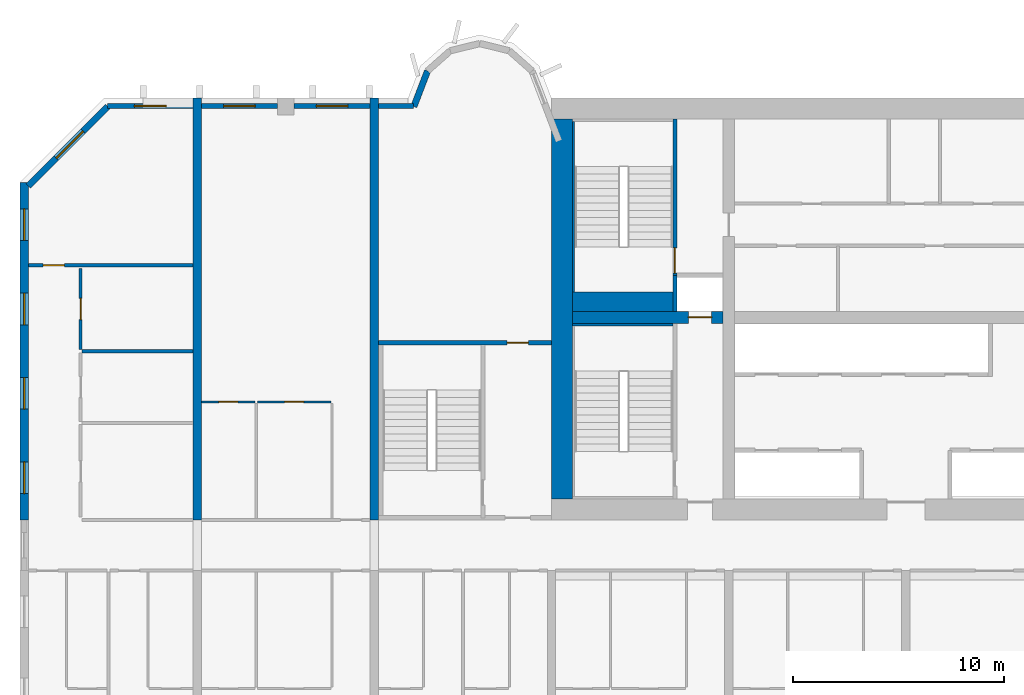
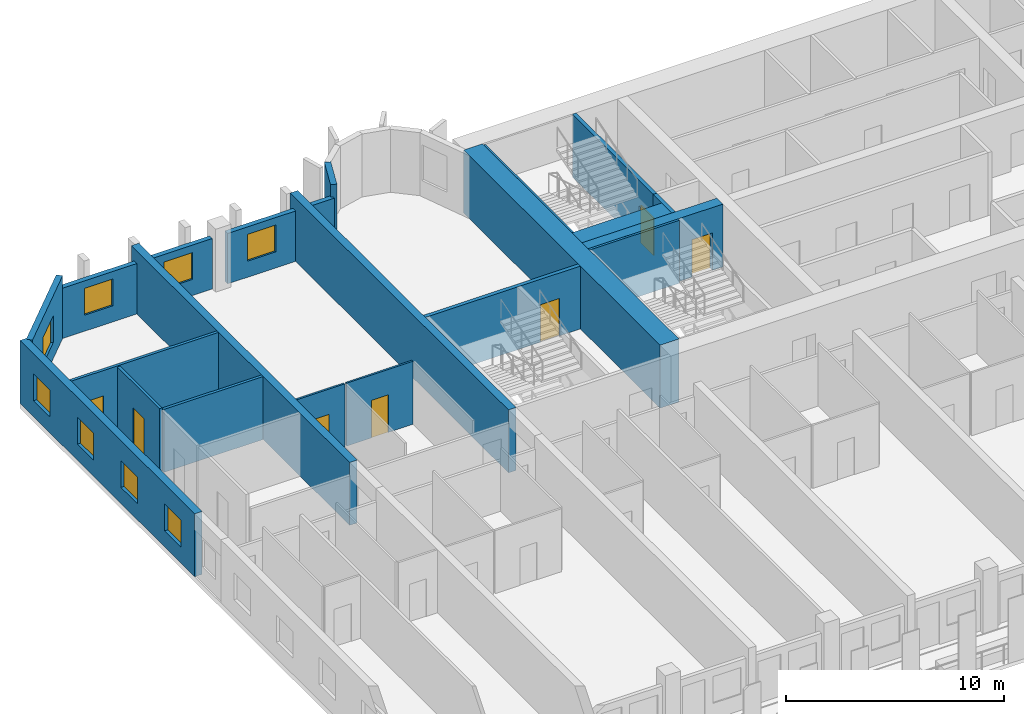
# One storey, part 6 of 14: 22 walls, 8 windows, 7 doors, 15 openings.
"""IFC4 building model written with IfcOpenShell, lengths in metres."""

from ifc_helpers import new_model, si_unit, direction, frame, frame_2d, origin, place, context, subcontext, project, spatial, rectangle, extrude, source, transform, mapped, material, layer, layer_set, type_object, element, fill, save


model = new_model("IFC4")

# Units and contexts
model_context = context("Model", 3, precision=1e-05, world=origin(), true_north=direction((0.0, 1.0)))
body_context = subcontext(model_context, "Body", "Model", "MODEL_VIEW")
ifc_project = project(units=[si_unit("LENGTHUNIT", "METRE"), si_unit("AREAUNIT", "SQUARE_METRE"), si_unit("VOLUMEUNIT", "CUBIC_METRE"), si_unit("PLANEANGLEUNIT", "RADIAN"), si_unit("MASSUNIT", "GRAM", prefix="KILO")], contexts=[model_context])

# Site, building, storey
site_placement = place(None, origin())
site = spatial("IfcSite", under=ifc_project, at=site_placement, CompositionType="ELEMENT")
building_placement = place(site_placement, origin())
building = spatial("IfcBuilding", under=site, at=building_placement, Name="Vanashikhar Sky Hotel", CompositionType="ELEMENT")
storey_placement = place(building_placement, frame((0.0, 0.0, 58.199951171875)))
storey = spatial("IfcBuildingStorey", under=building, at=storey_placement, Name="L13", CompositionType="ELEMENT", Elevation=58.199951171875)

# Wall
ifc_material_1 = material(Name="Concrete M80", Category="concrete")
ifc_layer_1 = layer(ifc_material_1, 1.0)
ifc_layer_set_1 = layer_set([ifc_layer_1], Name="RC core shell wall 1000 Concrete M80")
wall_type_1 = type_object("IfcWallType", Name="RC core shell wall 1000 Concrete M80", PredefinedType="SHEAR", material=ifc_layer_set_1)
shared_shape_1 = source(origin(), body_context, "Body", "SweptSolid", [
    extrude(rectangle(XDim=18.0, YDim=1.0, at=frame_2d((9.0, 0.0))), origin(), (0.0, 0.0, 1.0), 3.52001953125),
])
wall_1_placement = place(storey_placement, frame((25.699951171875, 23.0, 0.0), z_axis=(0.0, 0.0, 1.0), x_axis=(0.0, 1.0, 0.0)))
element("IfcWall", 1, at=wall_1_placement, inside=storey, type_object=wall_type_1, Name="KW-L13-KW", PredefinedType="SHEAR", context=body_context, shape_type="MappedRepresentation", body=[
    mapped(shared_shape_1, transform((0.0, 0.0, 0.0), scale=1.0)),
])

# Wall, opening, door
ifc_layer_2 = layer(ifc_material_1, 0.550048828125)
ifc_layer_set_2 = layer_set([ifc_layer_2], Name="RC core inner wall 550 Concrete M80")
wall_type_2 = type_object("IfcWallType", Name="RC core inner wall 550 Concrete M80", PredefinedType="SHEAR", material=ifc_layer_set_2)
shared_shape_2 = source(origin(), body_context, "Body", "SweptSolid", [
    extrude(rectangle(XDim=7.125, YDim=0.550048828125, at=frame_2d((3.5625, 0.0))), origin(), (0.0, 0.0, 1.0), 3.52001953125),
])
wall_2_placement = place(storey_placement, frame((26.199951171875, 31.60009765625, 0.0), z_axis=(0.0, 0.0, 1.0), x_axis=(1.0, 0.0, 0.0)))
wall_2 = element("IfcWall", 2, at=wall_2_placement, inside=storey, type_object=wall_type_2, Name="KW-L13-KY1", PredefinedType="SHEAR", context=body_context, shape_type="MappedRepresentation", body=[
    mapped(shared_shape_2, transform((0.0, 0.0, 0.0), scale=1.0)),
])
shared_shape_3 = source(origin(), body_context, "Body", "SweptSolid", [
    extrude(rectangle(XDim=1.10009765625, YDim=2.10009765625, at=frame_2d((0.550048828125, 1.050048828125))), frame((0.0, 0.28515625, 0.0), z_axis=(0.0, -1.0, 0.0), x_axis=(1.0, 0.0, 0.0)), (0.0, 0.0, 1.0), 0.570068359375),
])
opening_1_placement = place(wall_2_placement, frame((5.488037109375, 0.0, 0.0)))
opening_1 = element("IfcOpeningElement", 3, at=opening_1_placement, cuts=wall_2, Name="Opening LD", PredefinedType="OPENING", context=body_context, shape_type="MappedRepresentation", body=[
    mapped(shared_shape_3, transform((0.0, 0.0, 0.0), scale=1.0)),
])
ifc_material_2 = material(Name="Stainless steel", Category="steel")
door_type_1 = type_object("IfcDoorType", Name="Lift landing door 1100", OperationType="NOTDEFINED", PredefinedType="DOOR", material=ifc_material_2)
shared_shape_4 = source(origin(), body_context, "Body", "SweptSolid", [
    extrude(rectangle(XDim=1.10009765625, YDim=2.10009765625, at=frame_2d((0.550048828125, 1.050048828125))), frame((0.0, 0.02490234375, 0.0), z_axis=(0.0, -1.0, 0.0), x_axis=(1.0, 0.0, 0.0)), (0.0, 0.0, 1.0), 0.050048828125),
])
door_1_placement = place(opening_1_placement, origin())
door_1 = element("IfcDoor", 4, at=door_1_placement, inside=storey, type_object=door_type_1, Name="Lift landing door 1100", OperationType="SLIDING_TO_RIGHT", OverallHeight=2.10009765625, OverallWidth=1.10009765625, PredefinedType="DOOR", context=body_context, shape_type="MappedRepresentation", body=[
    mapped(shared_shape_4, transform((0.0, 0.0, 0.0), scale=1.0)),
])
fill(opening_1, door_1)

# Wall, openings, windows
ifc_layer_3 = layer(ifc_material_1, 0.39990234375)
ifc_layer_set_3 = layer_set([ifc_layer_3], Name="RC shear wall 400 Concrete M80")
wall_type_3 = type_object("IfcWallType", Name="RC shear wall 400 Concrete M80", PredefinedType="SHEAR", material=ifc_layer_set_3)
shared_shape_5 = source(origin(), body_context, "Body", "SweptSolid", [
    extrude(rectangle(XDim=16.0, YDim=0.39990234375, at=frame_2d((8.0, 0.0))), origin(), (0.0, 0.0, 1.0), 3.52001953125),
])
wall_3_placement = place(storey_placement, frame((0.199951171875, 22.0, 0.0), z_axis=(0.0, 0.0, 1.0), x_axis=(0.0, 1.0, 0.0)))
wall_3 = element("IfcWall", 5, at=wall_3_placement, inside=storey, type_object=wall_type_3, Name="CW-L13-XW01-2", PredefinedType="SHEAR", context=body_context, shape_type="MappedRepresentation", body=[
    mapped(shared_shape_5, transform((0.0, 0.0, 0.0), scale=1.0)),
])
shared_shape_6 = source(origin(), body_context, "Body", "SweptSolid", [
    extrude(rectangle(XDim=1.5, YDim=1.5, at=frame_2d((0.75, 0.75))), frame((0.0, 0.2099609375, 0.0), z_axis=(0.0, -1.0, 0.0), x_axis=(1.0, 0.0, 0.0)), (0.0, 0.0, 1.0), 0.419921875),
])
opening_2_placement = place(wall_3_placement, frame((1.25, 0.0, 0.89990234375)))
opening_2 = element("IfcOpeningElement", 6, at=opening_2_placement, cuts=wall_3, Name="Opening WN-1", PredefinedType="OPENING", context=body_context, shape_type="MappedRepresentation", body=[
    mapped(shared_shape_6, transform((0.0, 0.0, 0.0), scale=1.0)),
])
opening_3_placement = place(wall_3_placement, frame((5.25, 0.0, 0.89990234375)))
opening_3 = element("IfcOpeningElement", 7, at=opening_3_placement, cuts=wall_3, Name="Opening WN-1", PredefinedType="OPENING", context=body_context, shape_type="MappedRepresentation", body=[
    mapped(shared_shape_6, transform((0.0, 0.0, 0.0), scale=1.0)),
])
opening_4_placement = place(wall_3_placement, frame((9.25, 0.0, 0.89990234375)))
opening_4 = element("IfcOpeningElement", 8, at=opening_4_placement, cuts=wall_3, Name="Opening WN-1", PredefinedType="OPENING", context=body_context, shape_type="MappedRepresentation", body=[
    mapped(shared_shape_6, transform((0.0, 0.0, 0.0), scale=1.0)),
])
opening_5_placement = place(wall_3_placement, frame((13.25, 0.0, 0.89990234375)))
opening_5 = element("IfcOpeningElement", 9, at=opening_5_placement, cuts=wall_3, Name="Opening WN-1", PredefinedType="OPENING", context=body_context, shape_type="MappedRepresentation", body=[
    mapped(shared_shape_6, transform((0.0, 0.0, 0.0), scale=1.0)),
])
ifc_material_3 = material(Name="Glass", Category="glass")
window_type_1 = type_object("IfcWindowType", Name="Window 1500 x 1500", PartitioningType="SINGLE_PANEL", PredefinedType="WINDOW", material=ifc_material_3)
shared_shape_7 = source(origin(), body_context, "Body", "SweptSolid", [
    extrude(rectangle(XDim=1.5, YDim=1.5, at=frame_2d((0.75, 0.75))), frame((0.0, 0.030029296875, 0.0), z_axis=(0.0, -1.0, 0.0), x_axis=(1.0, 0.0, 0.0)), (0.0, 0.0, 1.0), 0.06005859375),
])
window_1_placement = place(opening_2_placement, origin())
window_1 = element("IfcWindow", 10, at=window_1_placement, inside=storey, type_object=window_type_1, Name="Window WN-1", OverallHeight=1.5, OverallWidth=1.5, PartitioningType="SINGLE_PANEL", PredefinedType="WINDOW", context=body_context, shape_type="MappedRepresentation", body=[
    mapped(shared_shape_7, transform((0.0, 0.0, 0.0), scale=1.0)),
])
fill(opening_2, window_1)
window_2_placement = place(opening_3_placement, origin())
window_2 = element("IfcWindow", 11, at=window_2_placement, inside=storey, type_object=window_type_1, Name="Window WN-1", OverallHeight=1.5, OverallWidth=1.5, PartitioningType="SINGLE_PANEL", PredefinedType="WINDOW", context=body_context, shape_type="MappedRepresentation", body=[
    mapped(shared_shape_7, transform((0.0, 0.0, 0.0), scale=1.0)),
])
fill(opening_3, window_2)
window_3_placement = place(opening_4_placement, origin())
window_3 = element("IfcWindow", 12, at=window_3_placement, inside=storey, type_object=window_type_1, Name="Window WN-1", OverallHeight=1.5, OverallWidth=1.5, PartitioningType="SINGLE_PANEL", PredefinedType="WINDOW", context=body_context, shape_type="MappedRepresentation", body=[
    mapped(shared_shape_7, transform((0.0, 0.0, 0.0), scale=1.0)),
])
fill(opening_4, window_3)
window_4_placement = place(opening_5_placement, origin())
window_4 = element("IfcWindow", 13, at=window_4_placement, inside=storey, type_object=window_type_1, Name="Window WN-1", OverallHeight=1.5, OverallWidth=1.5, PartitioningType="SINGLE_PANEL", PredefinedType="WINDOW", context=body_context, shape_type="MappedRepresentation", body=[
    mapped(shared_shape_7, transform((0.0, 0.0, 0.0), scale=1.0)),
])
fill(opening_5, window_4)

# Walls
shared_shape_8 = source(origin(), body_context, "Body", "SweptSolid", [
    extrude(rectangle(XDim=20.0, YDim=0.39990234375, at=frame_2d((10.0, 0.0))), origin(), (0.0, 0.0, 1.0), 3.52001953125),
])
for number, where, z_axis, x_axis, name in (
    (14, (8.39990234375, 22.0, 0.0), (0.0, 0.0, 1.0), (0.0, 1.0, 0.0), "CW-L13-XW02-2"),
    (15, (16.800048828125, 22.0, 0.0), (0.0, 0.0, 1.0), (0.0, 1.0, 0.0), "CW-L13-XW03-2"),
):
    element("IfcWall", number, at=place(storey_placement, frame(where, z_axis=z_axis, x_axis=x_axis)), inside=storey, type_object=wall_type_3, Name=name, PredefinedType="SHEAR", context=body_context, shape_type="MappedRepresentation", body=[
        mapped(shared_shape_8, transform((0.0, 0.0, 0.0), scale=1.0)),
    ])

# Wall, opening, window
ifc_material_4 = material(Name="Concrete M50", Category="concrete")
ifc_layer_4 = layer(ifc_material_4, 0.300048828125)
ifc_layer_set_4 = layer_set([ifc_layer_4], Name="Lobe wall 300")
wall_type_4 = type_object("IfcWallType", Name="Lobe wall 300", PredefinedType="SOLIDWALL", material=ifc_layer_set_4)
shared_shape_9 = source(origin(), body_context, "Body", "SweptSolid", [
    extrude(rectangle(XDim=5.32568359375, YDim=0.300048828125, at=frame_2d((2.662841796875, 0.0))), origin(), (0.0, 0.0, 1.0), 3.52001953125),
])
wall_4_placement = place(storey_placement, frame((4.165771484375, 41.60009765625, 0.0), z_axis=(0.0, 0.0, 1.0), x_axis=(-0.707106781187, -0.707106781187, 0.0)))
wall_4 = element("IfcWall", 16, at=wall_4_placement, inside=storey, type_object=wall_type_4, Name="Corner wall", PredefinedType="SOLIDWALL", context=body_context, shape_type="MappedRepresentation", body=[
    mapped(shared_shape_9, transform((0.0, 0.0, 0.0), scale=1.0)),
])
shared_shape_10 = source(origin(), body_context, "Body", "SweptSolid", [
    extrude(rectangle(XDim=1.800048828125, YDim=1.5, at=frame_2d((0.89990234375, 0.75))), frame((0.0, 0.16015625, 0.0), z_axis=(0.0, -1.0, 0.0), x_axis=(1.0, 0.0, 0.0)), (0.0, 0.0, 1.0), 0.320068359375),
])
opening_6_placement = place(wall_4_placement, frame((1.654296875, 0.0, 0.89990234375)))
opening_6 = element("IfcOpeningElement", 17, at=opening_6_placement, cuts=wall_4, Name="Opening WN-4", PredefinedType="OPENING", context=body_context, shape_type="MappedRepresentation", body=[
    mapped(shared_shape_10, transform((0.0, 0.0, 0.0), scale=1.0)),
])
window_type_2 = type_object("IfcWindowType", Name="Corner window 1800 x 1500", PartitioningType="SINGLE_PANEL", PredefinedType="WINDOW", material=ifc_material_3)
shared_shape_11 = source(origin(), body_context, "Body", "SweptSolid", [
    extrude(rectangle(XDim=1.800048828125, YDim=1.5, at=frame_2d((0.89990234375, 0.75))), frame((0.0, 0.030029296875, 0.0), z_axis=(0.0, -1.0, 0.0), x_axis=(1.0, 0.0, 0.0)), (0.0, 0.0, 1.0), 0.06005859375),
])
window_5_placement = place(opening_6_placement, origin())
window_5 = element("IfcWindow", 18, at=window_5_placement, inside=storey, type_object=window_type_2, Name="Window WN-4", OverallHeight=1.5, OverallWidth=1.800048828125, PartitioningType="SINGLE_PANEL", PredefinedType="WINDOW", context=body_context, shape_type="MappedRepresentation", body=[
    mapped(shared_shape_11, transform((0.0, 0.0, 0.0), scale=1.0)),
])
fill(opening_6, window_5)

# Walls
shared_shape_12 = source(origin(), body_context, "Body", "SweptSolid", [
    extrude(rectangle(XDim=1.81201171875, YDim=0.300048828125, at=frame_2d((0.906005859375, 0.0))), origin(), (0.0, 0.0, 1.0), 3.52001953125),
])
wall_5_placement = place(storey_placement, frame((19.323486328125, 43.2919921875, 0.0), z_axis=(0.0, 0.0, 1.0), x_axis=(-0.357877270961, -0.93376863244, 0.0)))
element("IfcWall", 19, at=wall_5_placement, inside=storey, type_object=wall_type_4, Name="Lobe wall", PredefinedType="SOLIDWALL", context=body_context, shape_type="MappedRepresentation", body=[
    mapped(shared_shape_12, transform((0.0, 0.0, 0.0), scale=1.0)),
])
ifc_layer_5 = layer(ifc_material_4, 0.25)
ifc_layer_set_5 = layer_set([ifc_layer_5], Name="Rear and end board-marked wall 250")
wall_type_5 = type_object("IfcWallType", Name="Rear and end board-marked wall 250", PredefinedType="SOLIDWALL", material=ifc_layer_set_5)
shared_shape_13 = source(origin(), body_context, "Body", "SweptSolid", [
    extrude(rectangle(XDim=1.657958984375, YDim=0.25, at=frame_2d((0.8291015625, 0.0))), origin(), (0.0, 0.0, 1.0), 2.820068359375),
])
wall_6_placement = place(storey_placement, frame((18.657958984375, 41.625, 0.0), z_axis=(0.0, 0.0, 1.0), x_axis=(-1.0, 0.0, 0.0)))
element("IfcWall", 20, at=wall_6_placement, inside=storey, type_object=wall_type_5, Name="Rear board-marked wall", PredefinedType="SOLIDWALL", context=body_context, shape_type="MappedRepresentation", body=[
    mapped(shared_shape_13, transform((0.0, 0.0, 0.0), scale=1.0)),
])

# Wall, opening, window
shared_shape_14 = source(origin(), body_context, "Body", "SweptSolid", [
    extrude(rectangle(XDim=3.60009765625, YDim=0.25, at=frame_2d((1.800048828125, 0.0))), origin(), (0.0, 0.0, 1.0), 2.820068359375),
])
wall_7_placement = place(storey_placement, frame((16.60009765625, 41.625, 0.0), z_axis=(0.0, 0.0, 1.0), x_axis=(-1.0, 0.0, 0.0)))
wall_7 = element("IfcWall", 21, at=wall_7_placement, inside=storey, type_object=wall_type_5, Name="Rear board-marked wall", PredefinedType="SOLIDWALL", context=body_context, shape_type="MappedRepresentation", body=[
    mapped(shared_shape_14, transform((0.0, 0.0, 0.0), scale=1.0)),
])
shared_shape_15 = source(origin(), body_context, "Body", "SweptSolid", [
    extrude(rectangle(XDim=1.5, YDim=1.5, at=frame_2d((0.75, 0.75))), frame((0.0, 0.135009765625, 0.0), z_axis=(0.0, -1.0, 0.0), x_axis=(1.0, 0.0, 0.0)), (0.0, 0.0, 1.0), 0.27001953125),
])
opening_7_placement = place(wall_7_placement, frame((1.050048828125, 0.0, 0.89990234375)))
opening_7 = element("IfcOpeningElement", 22, at=opening_7_placement, cuts=wall_7, Name="Opening WN-1", PredefinedType="OPENING", context=body_context, shape_type="MappedRepresentation", body=[
    mapped(shared_shape_15, transform((0.0, 0.0, 0.0), scale=1.0)),
])
window_6_placement = place(opening_7_placement, origin())
window_6 = element("IfcWindow", 23, at=window_6_placement, inside=storey, type_object=window_type_1, Name="Window WN-1", OverallHeight=1.5, OverallWidth=1.5, PartitioningType="SINGLE_PANEL", PredefinedType="WINDOW", context=body_context, shape_type="MappedRepresentation", body=[
    mapped(shared_shape_7, transform((0.0, 0.0, 0.0), scale=1.0)),
])
fill(opening_7, window_6)

shared_shape_16 = source(origin(), body_context, "Body", "SweptSolid", [
    extrude(rectangle(XDim=3.599853515625, YDim=0.25, at=frame_2d((1.7998046875, 0.0))), origin(), (0.0, 0.0, 1.0), 2.820068359375),
])
wall_8_placement = place(storey_placement, frame((12.199951171875, 41.625, 0.0), z_axis=(0.0, 0.0, 1.0), x_axis=(-1.0, 0.0, 0.0)))
wall_8 = element("IfcWall", 24, at=wall_8_placement, inside=storey, type_object=wall_type_5, Name="Rear board-marked wall", PredefinedType="SOLIDWALL", context=body_context, shape_type="MappedRepresentation", body=[
    mapped(shared_shape_16, transform((0.0, 0.0, 0.0), scale=1.0)),
])
opening_8_placement = place(wall_8_placement, frame((1.050048828125, 0.0, 0.89990234375)))
opening_8 = element("IfcOpeningElement", 25, at=opening_8_placement, cuts=wall_8, Name="Opening WN-1", PredefinedType="OPENING", context=body_context, shape_type="MappedRepresentation", body=[
    mapped(shared_shape_15, transform((0.0, 0.0, 0.0), scale=1.0)),
])
window_7_placement = place(opening_8_placement, origin())
window_7 = element("IfcWindow", 26, at=window_7_placement, inside=storey, type_object=window_type_1, Name="Window WN-1", OverallHeight=1.5, OverallWidth=1.5, PartitioningType="SINGLE_PANEL", PredefinedType="WINDOW", context=body_context, shape_type="MappedRepresentation", body=[
    mapped(shared_shape_7, transform((0.0, 0.0, 0.0), scale=1.0)),
])
fill(opening_8, window_7)

shared_shape_17 = source(origin(), body_context, "Body", "SweptSolid", [
    extrude(rectangle(XDim=4.044677734375, YDim=0.25, at=frame_2d((2.0224609375, 0.0))), origin(), (0.0, 0.0, 1.0), 2.820068359375),
])
wall_9_placement = place(storey_placement, frame((8.199951171875, 41.625, 0.0), z_axis=(0.0, 0.0, 1.0), x_axis=(-1.0, 0.0, 0.0)))
wall_9 = element("IfcWall", 27, at=wall_9_placement, inside=storey, type_object=wall_type_5, Name="Rear board-marked wall", PredefinedType="SOLIDWALL", context=body_context, shape_type="MappedRepresentation", body=[
    mapped(shared_shape_17, transform((0.0, 0.0, 0.0), scale=1.0)),
])
opening_9_placement = place(wall_9_placement, frame((1.2724609375, 0.0, 0.89990234375)))
opening_9 = element("IfcOpeningElement", 28, at=opening_9_placement, cuts=wall_9, Name="Opening WN-1", PredefinedType="OPENING", context=body_context, shape_type="MappedRepresentation", body=[
    mapped(shared_shape_15, transform((0.0, 0.0, 0.0), scale=1.0)),
])
window_8_placement = place(opening_9_placement, origin())
window_8 = element("IfcWindow", 29, at=window_8_placement, inside=storey, type_object=window_type_1, Name="Window WN-1", OverallHeight=1.5, OverallWidth=1.5, PartitioningType="SINGLE_PANEL", PredefinedType="WINDOW", context=body_context, shape_type="MappedRepresentation", body=[
    mapped(shared_shape_7, transform((0.0, 0.0, 0.0), scale=1.0)),
])
fill(opening_9, window_8)

# Wall, opening, door
ifc_layer_6 = layer(ifc_material_4, 0.199951171875)
ifc_layer_set_6 = layer_set([ifc_layer_6], Name="Stair wall 200")
wall_type_6 = type_object("IfcWallType", Name="Stair wall 200", PredefinedType="SOLIDWALL", material=ifc_layer_set_6)
shared_shape_18 = source(origin(), body_context, "Body", "SweptSolid", [
    extrude(rectangle(XDim=8.199951171875, YDim=0.199951171875, at=frame_2d((4.10009765625, 0.0))), origin(), (0.0, 0.0, 1.0), 3.52001953125),
])
wall_10_placement = place(storey_placement, frame((17.0, 30.39990234375, 0.0), z_axis=(0.0, 0.0, 1.0), x_axis=(1.0, 0.0, 0.0)))
wall_10 = element("IfcWall", 30, at=wall_10_placement, inside=storey, type_object=wall_type_6, Name="Stair wall 200", PredefinedType="SOLIDWALL", context=body_context, shape_type="MappedRepresentation", body=[
    mapped(shared_shape_18, transform((0.0, 0.0, 0.0), scale=1.0)),
])
shared_shape_19 = source(origin(), body_context, "Body", "SweptSolid", [
    extrude(rectangle(XDim=1.0, YDim=2.10009765625, at=frame_2d((0.5, 1.050048828125))), frame((0.0, 0.10986328125, 0.0), z_axis=(0.0, -1.0, 0.0), x_axis=(1.0, 0.0, 0.0)), (0.0, 0.0, 1.0), 0.219970703125),
])
opening_10_placement = place(wall_10_placement, frame((6.10009765625, 0.0, 0.0)))
opening_10 = element("IfcOpeningElement", 31, at=opening_10_placement, cuts=wall_10, Name="Opening DC-6", PredefinedType="OPENING", context=body_context, shape_type="MappedRepresentation", body=[
    mapped(shared_shape_19, transform((0.0, 0.0, 0.0), scale=1.0)),
])
ifc_material_5 = material(Name="Steel", Category="steel")
door_type_2 = type_object("IfcDoorType", Name="Pocket door 1000 FD60", OperationType="NOTDEFINED", PredefinedType="DOOR", material=ifc_material_5)
shared_shape_20 = source(origin(), body_context, "Body", "SweptSolid", [
    extrude(rectangle(XDim=1.0, YDim=2.10009765625, at=frame_2d((0.5, 1.050048828125))), frame((0.0, 0.02490234375, 0.0), z_axis=(0.0, -1.0, 0.0), x_axis=(1.0, 0.0, 0.0)), (0.0, 0.0, 1.0), 0.050048828125),
])
door_2_placement = place(opening_10_placement, origin())
door_2 = element("IfcDoor", 32, at=door_2_placement, inside=storey, type_object=door_type_2, Name="Pocket door 1000 FD60", OperationType="SINGLE_SWING_RIGHT", OverallHeight=2.10009765625, OverallWidth=1.0, PredefinedType="DOOR", context=body_context, shape_type="MappedRepresentation", body=[
    mapped(shared_shape_20, transform((0.0, 0.0, 0.0), scale=1.0)),
])
fill(opening_10, door_2)

# Walls
ifc_layer_7 = layer(ifc_material_4, 0.10009765625)
ifc_layer_set_7 = layer_set([ifc_layer_7], Name="Stair infill wall 100")
wall_type_7 = type_object("IfcWallType", Name="Stair infill wall 100", PredefinedType="SOLIDWALL", material=ifc_layer_set_7)
shared_shape_21 = source(origin(), body_context, "Body", "SweptSolid", [
    extrude(rectangle(XDim=8.099853515625, YDim=0.10009765625, at=frame_2d((4.0498046875, 0.0))), origin(), (0.0, 0.0, 1.0), 3.52001953125),
])
wall_11_placement = place(storey_placement, frame((26.25, 32.800048828125, 0.0), z_axis=(0.0, 0.0, 1.0), x_axis=(0.0, 1.0, 0.0)))
element("IfcWall", 33, at=wall_11_placement, inside=storey, type_object=wall_type_7, Name="Stair infill wall 100", PredefinedType="SOLIDWALL", context=body_context, shape_type="MappedRepresentation", body=[
    mapped(shared_shape_21, transform((0.0, 0.0, 0.0), scale=1.0)),
])
ifc_material_6 = material(Name="Concrete M40", Category="concrete")
ifc_layer_8 = layer(ifc_material_6, 0.199951171875)
ifc_layer_set_8 = layer_set([ifc_layer_8], Name="Shaft wall 200")
wall_type_8 = type_object("IfcWallType", Name="Shaft wall 200", PredefinedType="SOLIDWALL", material=ifc_layer_set_8)
shared_shape_22 = source(origin(), body_context, "Body", "SweptSolid", [
    extrude(rectangle(XDim=1.72509765625, YDim=0.199951171875, at=frame_2d((0.862548828125, 0.0))), origin(), (0.0, 0.0, 1.0), 3.52001953125),
])
wall_12_placement = place(storey_placement, frame((31.050048828125, 31.875, 0.0), z_axis=(0.0, 0.0, 1.0), x_axis=(0.0, 1.0, 0.0)))
element("IfcWall", 34, at=wall_12_placement, inside=storey, type_object=wall_type_8, Name="Shaft wall 200", PredefinedType="SOLIDWALL", context=body_context, shape_type="MappedRepresentation", body=[
    mapped(shared_shape_22, transform((0.0, 0.0, 0.0), scale=1.0)),
])

# Wall, opening, door
shared_shape_23 = source(origin(), body_context, "Body", "SweptSolid", [
    extrude(rectangle(XDim=7.39990234375, YDim=0.199951171875, at=frame_2d((3.699951171875, 0.0))), origin(), (0.0, 0.0, 1.0), 3.52001953125),
])
wall_13_placement = place(storey_placement, frame((31.050048828125, 33.60009765625, 0.0), z_axis=(0.0, 0.0, 1.0), x_axis=(0.0, 1.0, 0.0)))
wall_13 = element("IfcWall", 35, at=wall_13_placement, inside=storey, type_object=wall_type_6, Name="Stair wall 200", PredefinedType="SOLIDWALL", context=body_context, shape_type="MappedRepresentation", body=[
    mapped(shared_shape_23, transform((0.0, 0.0, 0.0), scale=1.0)),
])
shared_shape_24 = source(origin(), body_context, "Body", "SweptSolid", [
    extrude(rectangle(XDim=1.199951171875, YDim=2.10009765625, at=frame_2d((0.60009765625, 1.050048828125))), frame((0.0, 0.10986328125, 0.0), z_axis=(0.0, -1.0, 0.0), x_axis=(1.0, 0.0, 0.0)), (0.0, 0.0, 1.0), 0.219970703125),
])
opening_11_placement = place(wall_13_placement, frame((0.10009765625, 0.0, 0.0)))
opening_11 = element("IfcOpeningElement", 36, at=opening_11_placement, cuts=wall_13, Name="Opening DC-1", PredefinedType="OPENING", context=body_context, shape_type="MappedRepresentation", body=[
    mapped(shared_shape_24, transform((0.0, 0.0, 0.0), scale=1.0)),
])
door_type_3 = type_object("IfcDoorType", Name="Stair door 1200 FD120", OperationType="NOTDEFINED", PredefinedType="DOOR", material=ifc_material_5)
shared_shape_25 = source(origin(), body_context, "Body", "SweptSolid", [
    extrude(rectangle(XDim=1.199951171875, YDim=2.10009765625, at=frame_2d((0.60009765625, 1.050048828125))), frame((0.0, 0.02490234375, 0.0), z_axis=(0.0, -1.0, 0.0), x_axis=(1.0, 0.0, 0.0)), (0.0, 0.0, 1.0), 0.050048828125),
])
door_3_placement = place(opening_11_placement, origin())
door_3 = element("IfcDoor", 37, at=door_3_placement, inside=storey, type_object=door_type_3, Name="Stair door 1200 FD120", OperationType="SINGLE_SWING_RIGHT", OverallHeight=2.10009765625, OverallWidth=1.199951171875, PredefinedType="DOOR", context=body_context, shape_type="MappedRepresentation", body=[
    mapped(shared_shape_25, transform((0.0, 0.0, 0.0), scale=1.0)),
])
fill(opening_11, door_3)

# Walls
ifc_layer_9 = layer(ifc_material_4, 0.125)
ifc_layer_set_9 = layer_set([ifc_layer_9], Name="Stair infill wall 125")
wall_type_9 = type_object("IfcWallType", Name="Stair infill wall 125", PredefinedType="SOLIDWALL", material=ifc_layer_set_9)
shared_shape_26 = source(origin(), body_context, "Body", "SweptSolid", [
    extrude(rectangle(XDim=4.75, YDim=0.125, at=frame_2d((2.375, 0.0))), origin(), (0.0, 0.0, 1.0), 3.52001953125),
])
wall_14_placement = place(storey_placement, frame((26.199951171875, 31.261962890625, 0.0), z_axis=(0.0, 0.0, 1.0), x_axis=(1.0, 0.0, 0.0)))
element("IfcWall", 38, at=wall_14_placement, inside=storey, type_object=wall_type_9, Name="Stair infill wall 125", PredefinedType="SOLIDWALL", context=body_context, shape_type="MappedRepresentation", body=[
    mapped(shared_shape_26, transform((0.0, 0.0, 0.0), scale=1.0)),
])
ifc_layer_10 = layer(ifc_material_4, 0.925048828125)
ifc_layer_set_10 = layer_set([ifc_layer_10], Name="Stair infill wall 925")
wall_type_10 = type_object("IfcWallType", Name="Stair infill wall 925", PredefinedType="SOLIDWALL", material=ifc_layer_set_10)
shared_shape_27 = source(origin(), body_context, "Body", "SweptSolid", [
    extrude(rectangle(XDim=4.75, YDim=0.925048828125, at=frame_2d((2.375, 0.0))), origin(), (0.0, 0.0, 1.0), 3.52001953125),
])
wall_15_placement = place(storey_placement, frame((26.199951171875, 32.3369140625, 0.0), z_axis=(0.0, 0.0, 1.0), x_axis=(1.0, 0.0, 0.0)))
element("IfcWall", 39, at=wall_15_placement, inside=storey, type_object=wall_type_10, Name="Stair infill wall 925", PredefinedType="SOLIDWALL", context=body_context, shape_type="MappedRepresentation", body=[
    mapped(shared_shape_27, transform((0.0, 0.0, 0.0), scale=1.0)),
])

# Wall, opening, door
ifc_material_7 = material(Name="Gypsum plasterboard partition")
ifc_layer_11 = layer(ifc_material_7, 0.14990234375)
ifc_layer_set_11 = layer_set([ifc_layer_11], Name="Corridor and demising partition 150")
wall_type_11 = type_object("IfcWallType", Name="Corridor and demising partition 150", PredefinedType="PARTITIONING", material=ifc_layer_set_11)
shared_shape_28 = source(origin(), body_context, "Body", "SweptSolid", [
    extrude(rectangle(XDim=3.85009765625, YDim=0.14990234375, at=frame_2d((1.925048828125, 0.0))), origin(), (0.0, 0.0, 1.0), 3.52001953125),
])
wall_16_placement = place(storey_placement, frame((2.875, 30.074951171875, 0.0), z_axis=(0.0, 0.0, 1.0), x_axis=(0.0, 1.0, 0.0)))
wall_16 = element("IfcWall", 40, at=wall_16_placement, inside=storey, type_object=wall_type_11, Name="W-L13-PW078", PredefinedType="PARTITIONING", context=body_context, shape_type="MappedRepresentation", body=[
    mapped(shared_shape_28, transform((0.0, 0.0, 0.0), scale=1.0)),
])
shared_shape_29 = source(origin(), body_context, "Body", "SweptSolid", [
    extrude(rectangle(XDim=1.0, YDim=2.10009765625, at=frame_2d((0.5, 1.050048828125))), frame((0.0, 0.0849609375, 0.0), z_axis=(0.0, -1.0, 0.0), x_axis=(1.0, 0.0, 0.0)), (0.0, 0.0, 1.0), 0.169921875),
])
opening_12_placement = place(wall_16_placement, frame((1.425048828125, 0.0, 0.0)))
opening_12 = element("IfcOpeningElement", 41, at=opening_12_placement, cuts=wall_16, Name="Opening D-01", PredefinedType="OPENING", context=body_context, shape_type="MappedRepresentation", body=[
    mapped(shared_shape_29, transform((0.0, 0.0, 0.0), scale=1.0)),
])
ifc_material_8 = material(Name="Timber fire door", Category="wood")
door_type_4 = type_object("IfcDoorType", Name="Guest entry door 1000 FD30S", OperationType="NOTDEFINED", PredefinedType="DOOR", material=ifc_material_8)
door_4_placement = place(opening_12_placement, origin())
door_4 = element("IfcDoor", 42, at=door_4_placement, inside=storey, type_object=door_type_4, Name="D-L13-044", OperationType="SINGLE_SWING_LEFT", OverallHeight=2.10009765625, OverallWidth=1.0, PredefinedType="DOOR", context=body_context, shape_type="MappedRepresentation", body=[
    mapped(shared_shape_20, transform((0.0, 0.0, 0.0), scale=1.0)),
])
fill(opening_12, door_4)

ifc_layer_12 = layer(ifc_material_7, 0.10009765625)
ifc_layer_set_12 = layer_set([ifc_layer_12], Name="Wet room partition 100")
wall_type_12 = type_object("IfcWallType", Name="Wet room partition 100", PredefinedType="PARTITIONING", material=ifc_layer_set_12)
shared_shape_30 = source(origin(), body_context, "Body", "SweptSolid", [
    extrude(rectangle(XDim=3.5, YDim=0.10009765625, at=frame_2d((1.75, 0.0))), origin(), (0.0, 0.0, 1.0), 3.52001953125),
])
wall_17_placement = place(storey_placement, frame((11.25, 27.60009765625, 0.0), z_axis=(0.0, 0.0, 1.0), x_axis=(1.0, 0.0, 0.0)))
wall_17 = element("IfcWall", 43, at=wall_17_placement, inside=storey, type_object=wall_type_12, Name="W-L13-PW082", PredefinedType="PARTITIONING", context=body_context, shape_type="MappedRepresentation", body=[
    mapped(shared_shape_30, transform((0.0, 0.0, 0.0), scale=1.0)),
])
shared_shape_31 = source(origin(), body_context, "Body", "SweptSolid", [
    extrude(rectangle(XDim=0.89990234375, YDim=2.10009765625, at=frame_2d((0.449951171875, 1.050048828125))), frame((0.0, 0.06005859375, 0.0), z_axis=(0.0, -1.0, 0.0), x_axis=(1.0, 0.0, 0.0)), (0.0, 0.0, 1.0), 0.1201171875),
])
opening_13_placement = place(wall_17_placement, frame((1.300048828125, 0.0, 0.0)))
opening_13 = element("IfcOpeningElement", 44, at=opening_13_placement, cuts=wall_17, Name="Opening D-02", PredefinedType="OPENING", context=body_context, shape_type="MappedRepresentation", body=[
    mapped(shared_shape_31, transform((0.0, 0.0, 0.0), scale=1.0)),
])
ifc_material_9 = material(Name="Timber door", Category="wood")
door_type_5 = type_object("IfcDoorType", Name="Internal door 900", OperationType="NOTDEFINED", PredefinedType="DOOR", material=ifc_material_9)
shared_shape_32 = source(origin(), body_context, "Body", "SweptSolid", [
    extrude(rectangle(XDim=0.89990234375, YDim=2.10009765625, at=frame_2d((0.449951171875, 1.050048828125))), frame((0.0, 0.02490234375, 0.0), z_axis=(0.0, -1.0, 0.0), x_axis=(1.0, 0.0, 0.0)), (0.0, 0.0, 1.0), 0.050048828125),
])
door_5_placement = place(opening_13_placement, origin())
door_5 = element("IfcDoor", 45, at=door_5_placement, inside=storey, type_object=door_type_5, Name="D-L13-046", OperationType="SINGLE_SWING_RIGHT", OverallHeight=2.10009765625, OverallWidth=0.89990234375, PredefinedType="DOOR", context=body_context, shape_type="MappedRepresentation", body=[
    mapped(shared_shape_32, transform((0.0, 0.0, 0.0), scale=1.0)),
])
fill(opening_13, door_5)

shared_shape_33 = source(origin(), body_context, "Body", "SweptSolid", [
    extrude(rectangle(XDim=2.5498046875, YDim=0.10009765625, at=frame_2d((1.27490234375, 0.0))), origin(), (0.0, 0.0, 1.0), 3.52001953125),
])
wall_18_placement = place(storey_placement, frame((8.60009765625, 27.60009765625, 0.0), z_axis=(0.0, 0.0, 1.0), x_axis=(1.0, 0.0, 0.0)))
wall_18 = element("IfcWall", 46, at=wall_18_placement, inside=storey, type_object=wall_type_12, Name="W-L13-PW083", PredefinedType="PARTITIONING", context=body_context, shape_type="MappedRepresentation", body=[
    mapped(shared_shape_33, transform((0.0, 0.0, 0.0), scale=1.0)),
])
opening_14_placement = place(wall_18_placement, frame((0.824951171875, 0.0, 0.0)))
opening_14 = element("IfcOpeningElement", 47, at=opening_14_placement, cuts=wall_18, Name="Opening D-02", PredefinedType="OPENING", context=body_context, shape_type="MappedRepresentation", body=[
    mapped(shared_shape_31, transform((0.0, 0.0, 0.0), scale=1.0)),
])
door_6_placement = place(opening_14_placement, origin())
door_6 = element("IfcDoor", 48, at=door_6_placement, inside=storey, type_object=door_type_5, Name="D-L13-047", OperationType="SINGLE_SWING_RIGHT", OverallHeight=2.10009765625, OverallWidth=0.89990234375, PredefinedType="DOOR", context=body_context, shape_type="MappedRepresentation", body=[
    mapped(shared_shape_32, transform((0.0, 0.0, 0.0), scale=1.0)),
])
fill(opening_14, door_6)

# Wall
shared_shape_34 = source(origin(), body_context, "Body", "SweptSolid", [
    extrude(rectangle(XDim=5.25, YDim=0.14990234375, at=frame_2d((2.625, 0.0))), origin(), (0.0, 0.0, 1.0), 3.52001953125),
])
wall_19_placement = place(storey_placement, frame((2.949951171875, 30.0, 0.0), z_axis=(0.0, 0.0, 1.0), x_axis=(1.0, 0.0, 0.0)))
element("IfcWall", 49, at=wall_19_placement, inside=storey, type_object=wall_type_11, Name="W-L13-PW077", PredefinedType="PARTITIONING", context=body_context, shape_type="MappedRepresentation", body=[
    mapped(shared_shape_34, transform((0.0, 0.0, 0.0), scale=1.0)),
])

# Wall, opening, door
shared_shape_35 = source(origin(), body_context, "Body", "SweptSolid", [
    extrude(rectangle(XDim=7.800048828125, YDim=0.14990234375, at=frame_2d((3.89990234375, 0.0))), origin(), (0.0, 0.0, 1.0), 3.52001953125),
])
wall_20_placement = place(storey_placement, frame((0.39990234375, 34.074951171875, 0.0), z_axis=(0.0, 0.0, 1.0), x_axis=(1.0, 0.0, 0.0)))
wall_20 = element("IfcWall", 50, at=wall_20_placement, inside=storey, type_object=wall_type_11, Name="W-L13-PW079", PredefinedType="PARTITIONING", context=body_context, shape_type="MappedRepresentation", body=[
    mapped(shared_shape_35, transform((0.0, 0.0, 0.0), scale=1.0)),
])
opening_15_placement = place(wall_20_placement, frame((0.699951171875, 0.0, 0.0)))
opening_15 = element("IfcOpeningElement", 51, at=opening_15_placement, cuts=wall_20, Name="Opening D-01", PredefinedType="OPENING", context=body_context, shape_type="MappedRepresentation", body=[
    mapped(shared_shape_29, transform((0.0, 0.0, 0.0), scale=1.0)),
])
door_7_placement = place(opening_15_placement, origin())
door_7 = element("IfcDoor", 52, at=door_7_placement, inside=storey, type_object=door_type_4, Name="D-L13-045", OperationType="SINGLE_SWING_LEFT", OverallHeight=2.10009765625, OverallWidth=1.0, PredefinedType="DOOR", context=body_context, shape_type="MappedRepresentation", body=[
    mapped(shared_shape_20, transform((0.0, 0.0, 0.0), scale=1.0)),
])
fill(opening_15, door_7)

save(model, "model.ifc")
